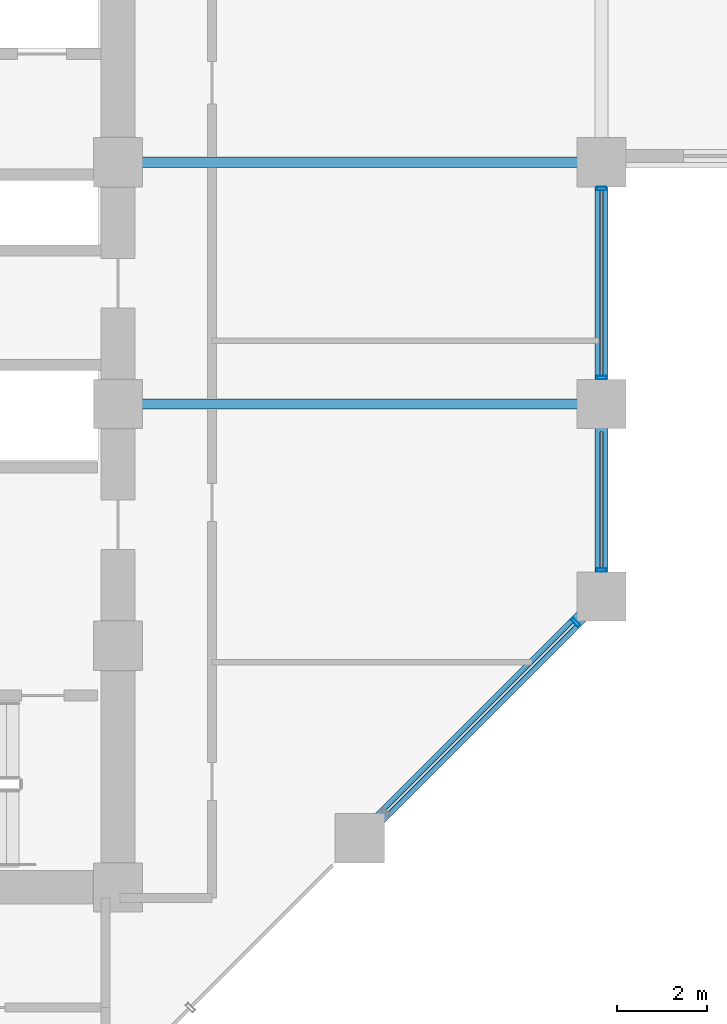
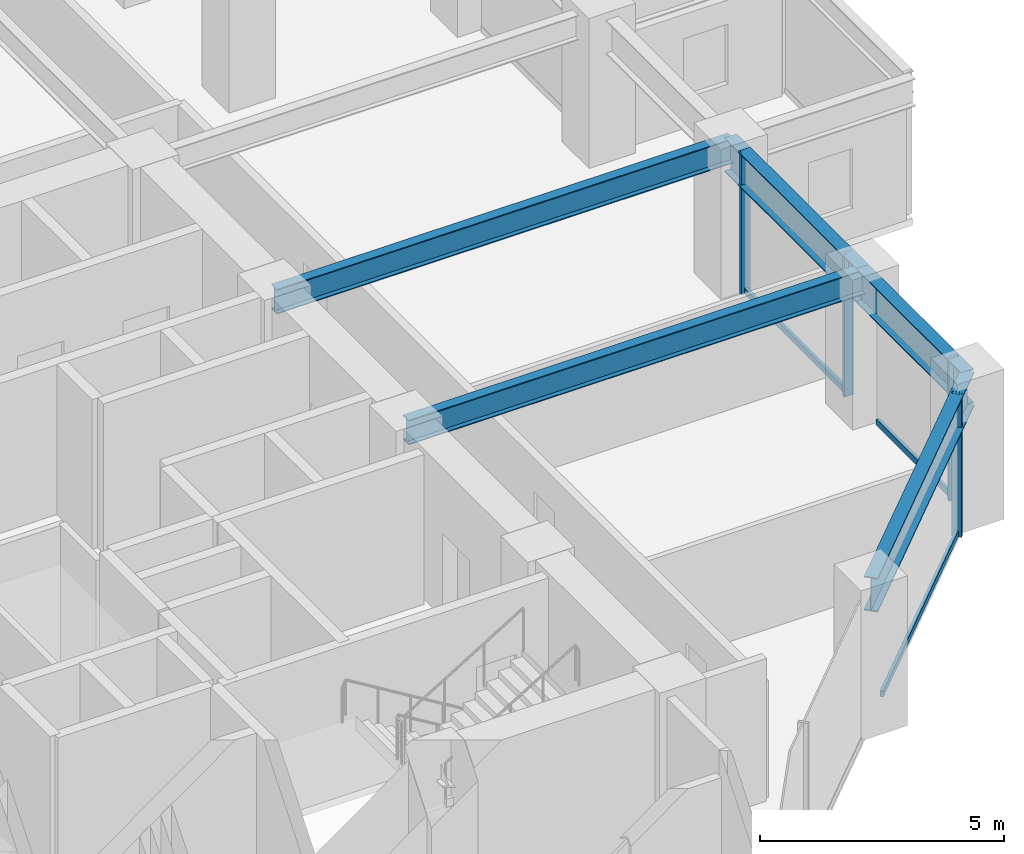
# One storey, part 10 of 29: 7 members, 5 beams, 2 elements without a shape of their own.
"""IFC4 building model written with IfcOpenShell, lengths in metres."""

from ifc_helpers import new_model, si_unit, direction, frame, origin, origin_2d, place, context, subcontext, project, spatial, hollow_rectangle, i_section, extrude, material, layer, layer_set, material_profile, profile_set, type_object, element, aggregate, save


model = new_model("IFC4")

# Units and contexts
model_context = context("Model", 3, precision=1e-05, world=origin(), true_north=direction((0.0, 1.0)))
body_context = subcontext(model_context, "Body", "Model", "MODEL_VIEW")
ifc_project = project(units=[si_unit("LENGTHUNIT", "METRE"), si_unit("AREAUNIT", "SQUARE_METRE"), si_unit("VOLUMEUNIT", "CUBIC_METRE"), si_unit("PLANEANGLEUNIT", "RADIAN"), si_unit("MASSUNIT", "GRAM", prefix="KILO")], contexts=[model_context])

# Site, building, storey
site_placement = place(None, origin())
site = spatial("IfcSite", under=ifc_project, at=site_placement, CompositionType="ELEMENT")
building_placement = place(site_placement, origin())
building = spatial("IfcBuilding", under=site, at=building_placement, Name="Surkhivell Harbour Commons", CompositionType="ELEMENT")
storey_placement = place(building_placement, frame((0.0, 0.0, 87.0)))
storey = spatial("IfcBuildingStorey", under=building, at=storey_placement, Name="L22", CompositionType="ELEMENT", Elevation=87.0)

# Beams
ifc_material_1 = material(Name="Steel S355", Category="steel")
ifc_material_profile_1 = material_profile(ifc_material_1, i_section(OverallWidth=0.22998046875, OverallDepth=0.616943359375, WebThickness=0.01318359375, FlangeThickness=0.022216796875, at=origin_2d()), Name="UB610x229x140")
ifc_profile_set_1 = profile_set([ifc_material_profile_1], Name="Steel S355")
beam_type_1 = type_object("IfcBeamType", Name="BM-GRD-610B", PredefinedType="BEAM", material=ifc_profile_set_1)
for number, where, z_axis, x_axis, name in (
    (1, (10.800048828125, 5.39990234375, 3.261474609375), (1.0, 0.0, 0.0), (0.0, 1.0, 0.0), "L22 Cantilever Back-Span Girder (10.8,5.4)"),
    (2, (10.800048828125, 0.0, 3.261474609375), (1.0, 0.0, 0.0), (0.0, 1.0, 0.0), "L22 Floor Girder (10.8,0.0)"),
):
    element("IfcBeam", number, at=place(storey_placement, frame(where, z_axis=z_axis, x_axis=x_axis)), inside=storey, type_object=beam_type_1, Name=name, PredefinedType="BEAM", context=body_context, shape_type="SweptSolid", body=[
        extrude(i_section(OverallWidth=0.22998046875, OverallDepth=0.616943359375, WebThickness=0.01318359375, FlangeThickness=0.022216796875, at=origin_2d()), origin(), (0.0, 0.0, 1.0), 10.800048828125),
    ])
ifc_material_2 = material(Name="Steel S460", Category="steel")
ifc_material_profile_2 = material_profile(ifc_material_2, i_section(OverallWidth=0.2939453125, OverallDepth=0.85107421875, WebThickness=0.01611328125, FlangeThickness=0.02685546875, at=origin_2d()), Name="UB838x292x226")
ifc_profile_set_2 = profile_set([ifc_material_profile_2], Name="Steel S460")
beam_type_2 = type_object("IfcBeamType", Name="BM-SPN-838", PredefinedType="SPANDREL", material=ifc_profile_set_2)
beam_1_placement = place(storey_placement, frame((16.199951171875, -9.699951171875, 3.14453125), z_axis=(0.707122765516, 0.707090796496, 0.0), x_axis=(-0.707090796496, 0.707122765516, 0.0)))
element("IfcBeam", 3, at=beam_1_placement, inside=storey, type_object=beam_type_2, Name="L22 Tube Spandrel (16.2,-9.7)", PredefinedType="SPANDREL", context=body_context, shape_type="SweptSolid", body=[
    extrude(i_section(OverallWidth=0.2939453125, OverallDepth=0.85107421875, WebThickness=0.01611328125, FlangeThickness=0.02685546875, at=origin_2d()), origin(), (0.0, 0.0, 1.0), 7.63671875),
])
beam_2_placement = place(storey_placement, frame((21.60009765625, -4.300048828125, 3.14453125), z_axis=(0.0, 1.0, 0.0), x_axis=(-1.0, 0.0, 0.0)))
element("IfcBeam", 4, at=beam_2_placement, inside=storey, type_object=beam_type_2, Name="L22 Tube Spandrel (21.6,-4.3)", PredefinedType="SPANDREL", context=body_context, shape_type="SweptSolid", body=[
    extrude(i_section(OverallWidth=0.2939453125, OverallDepth=0.85107421875, WebThickness=0.01611328125, FlangeThickness=0.02685546875, at=origin_2d()), origin(), (0.0, 0.0, 1.0), 4.300048828125),
])
beam_3_placement = place(storey_placement, frame((21.60009765625, 0.0, 3.14453125), z_axis=(0.0, 1.0, 0.0), x_axis=(-1.0, 0.0, 0.0)))
element("IfcBeam", 5, at=beam_3_placement, inside=storey, type_object=beam_type_2, Name="L22 Tube Spandrel (21.6,0.0)", PredefinedType="SPANDREL", context=body_context, shape_type="SweptSolid", body=[
    extrude(i_section(OverallWidth=0.2939453125, OverallDepth=0.85107421875, WebThickness=0.01611328125, FlangeThickness=0.02685546875, at=origin_2d()), origin(), (0.0, 0.0, 1.0), 5.39990234375),
])

# Curtain wall, member
ifc_material_3 = material(Name="Anodised pale-metal aluminium and insulated glazing", Category="aluminium")
ifc_layer = layer(ifc_material_3, 0.205078125)
ifc_layer_set = layer_set([ifc_layer], Name="Anodised pale-metal aluminium and insulated glazing")
curtain_wall_type = type_object("IfcCurtainWallType", Name="CW-SYS-Z2", PredefinedType="NOTDEFINED", material=ifc_layer_set)
curtain_wall_1_placement = place(storey_placement, origin())
curtain_wall_1 = element("IfcCurtainWall", 6, at=curtain_wall_1_placement, inside=storey, type_object=curtain_wall_type, Name="L22 Curtain Wall CW-L22-E01", PredefinedType="NOTDEFINED")
ifc_material_4 = material(Name="Anodised pale-metal aluminium alloy 6063-T6", Category="aluminium")
ifc_material_profile_3 = material_profile(ifc_material_4, hollow_rectangle(XDim=0.074951171875, YDim=0.219970703125, WallThickness=0.00390625, at=origin_2d()), Name="ALU-MULL-75x220")
ifc_profile_set_3 = profile_set([ifc_material_profile_3], Name="Anodised pale-metal aluminium alloy 6063-T6")
member_type_1 = type_object("IfcMemberType", Name="CWM-220", PredefinedType="MULLION", material=ifc_profile_set_3)
member_1_placement = place(storey_placement, frame((21.021728515625, -4.878173828125, 0.0), z_axis=(0.0, 0.0, 1.0), x_axis=(0.707106781187, 0.707106781187, 0.0)))
member_1 = element("IfcMember", 7, at=member_1_placement, type_object=member_type_1, Name="CW-Z2 mullion 6", PredefinedType="MULLION", context=body_context, shape_type="SweptSolid", body=[
    extrude(hollow_rectangle(XDim=0.074951171875, YDim=0.219970703125, WallThickness=0.00390625, at=origin_2d()), origin(), (0.0, 0.0, 1.0), 3.570068359375),
])

# Curtain wall, members
curtain_wall_2_placement = place(storey_placement, origin())
curtain_wall_2 = element("IfcCurtainWall", 8, at=curtain_wall_2_placement, inside=storey, type_object=curtain_wall_type, Name="L22 Curtain Wall CW-L22-E02R1", PredefinedType="NOTDEFINED")
member_2_placement = place(storey_placement, frame((21.60009765625, -3.71044921875, 0.0), z_axis=(0.0, 0.0, 1.0), x_axis=(0.0, 1.0, 0.0)))
member_2 = element("IfcMember", 9, at=member_2_placement, type_object=member_type_1, Name="CW-Z2 mullion 1", PredefinedType="MULLION", context=body_context, shape_type="SweptSolid", body=[
    extrude(hollow_rectangle(XDim=0.074951171875, YDim=0.219970703125, WallThickness=0.00390625, at=origin_2d()), origin(), (0.0, 0.0, 1.0), 3.570068359375),
])
member_3_placement = place(storey_placement, frame((21.60009765625, 0.589599609375, 0.0), z_axis=(0.0, 0.0, 1.0), x_axis=(0.0, 1.0, 0.0)))
member_3 = element("IfcMember", 10, at=member_3_placement, type_object=member_type_1, Name="CW-Z2 mullion 2", PredefinedType="MULLION", context=body_context, shape_type="SweptSolid", body=[
    extrude(hollow_rectangle(XDim=0.074951171875, YDim=0.219970703125, WallThickness=0.00390625, at=origin_2d()), origin(), (0.0, 0.0, 1.0), 3.570068359375),
])
member_4_placement = place(storey_placement, frame((21.60009765625, 4.810546875, 0.0), z_axis=(0.0, 0.0, 1.0), x_axis=(0.0, 1.0, 0.0)))
member_4 = element("IfcMember", 11, at=member_4_placement, type_object=member_type_1, Name="CW-Z2 mullion 3", PredefinedType="MULLION", context=body_context, shape_type="SweptSolid", body=[
    extrude(hollow_rectangle(XDim=0.074951171875, YDim=0.219970703125, WallThickness=0.00390625, at=origin_2d()), origin(), (0.0, 0.0, 1.0), 3.570068359375),
])

# Member
ifc_material_profile_4 = material_profile(ifc_material_4, hollow_rectangle(XDim=0.074951171875, YDim=0.14990234375, WallThickness=0.00341796875, at=origin_2d()), Name="ALU-TRAN-75x150")
ifc_profile_set_4 = profile_set([ifc_material_profile_4], Name="Anodised pale-metal aluminium alloy 6063-T6")
member_type_2 = type_object("IfcMemberType", Name="CWT-150", PredefinedType="USERDEFINED", material=ifc_profile_set_4)
member_5_placement = place(storey_placement, frame((16.8046875, -9.09521484375, 0.074951171875), z_axis=(0.707127378829, 0.707086182944, 0.0), x_axis=(-0.707086182944, 0.707127378829, 0.0)))
member_5 = element("IfcMember", 12, at=member_5_placement, type_object=member_type_2, Name="CW-Z2 transom 5.1", ObjectType="TRANSOM", PredefinedType="USERDEFINED", context=body_context, shape_type="SweptSolid", body=[
    extrude(hollow_rectangle(XDim=0.074951171875, YDim=0.14990234375, WallThickness=0.00341796875, at=origin_2d()), origin(), (0.0, 0.0, 1.0), 5.92626953125),
])

aggregate(curtain_wall_1, [member_1, member_5])

member_6_placement = place(storey_placement, frame((21.60009765625, -3.673095703125, 0.074951171875), z_axis=(0.0, 1.0, 0.0), x_axis=(-1.0, 0.0, 0.0)))
member_6 = element("IfcMember", 13, at=member_6_placement, type_object=member_type_2, Name="CW-Z2 transom 1.1", ObjectType="TRANSOM", PredefinedType="USERDEFINED", context=body_context, shape_type="SweptSolid", body=[
    extrude(hollow_rectangle(XDim=0.074951171875, YDim=0.14990234375, WallThickness=0.00341796875, at=origin_2d()), origin(), (0.0, 0.0, 1.0), 3.046142578125),
])

member_7_placement = place(storey_placement, frame((21.60009765625, 0.626953125, 0.074951171875), z_axis=(0.0, 1.0, 0.0), x_axis=(-1.0, 0.0, 0.0)))
member_7 = element("IfcMember", 14, at=member_7_placement, type_object=member_type_2, Name="CW-Z2 transom 2.1", ObjectType="TRANSOM", PredefinedType="USERDEFINED", context=body_context, shape_type="SweptSolid", body=[
    extrude(hollow_rectangle(XDim=0.074951171875, YDim=0.14990234375, WallThickness=0.00341796875, at=origin_2d()), origin(), (0.0, 0.0, 1.0), 4.14599609375),
])

aggregate(curtain_wall_2, [member_2, member_6, member_3, member_4, member_7])

save(model, "model.ifc")
